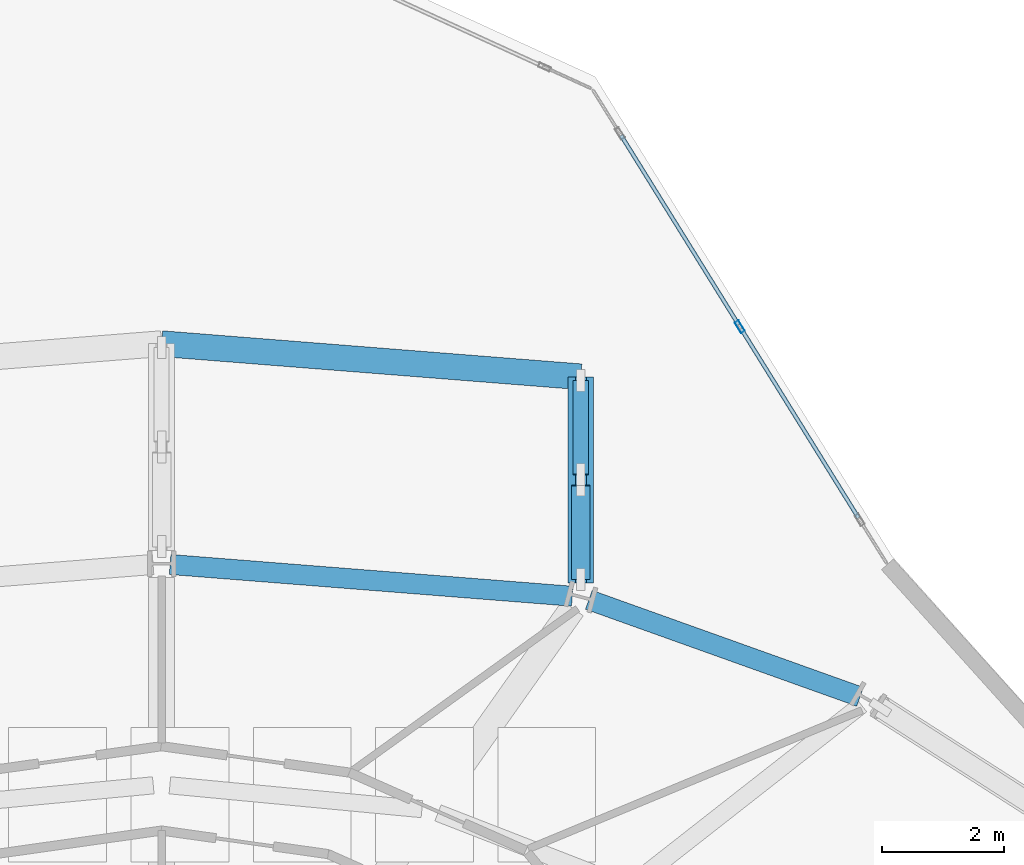
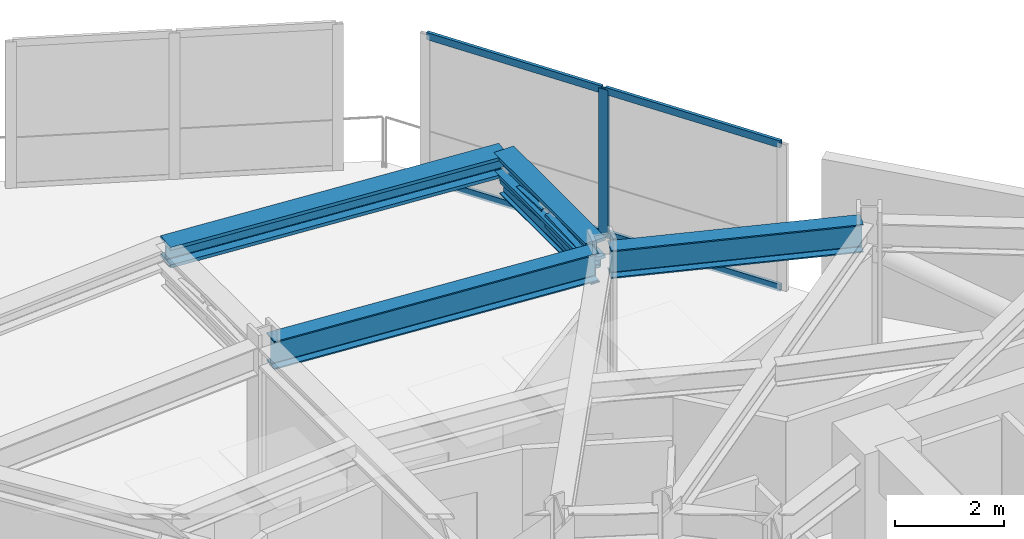
# One storey, part 9 of 19: 7 members, 5 beams, 1 element without a shape of its own.
"""IFC4 building model written with IfcOpenShell, lengths in metres."""

from ifc_helpers import new_model, si_unit, direction, frame, origin, origin_2d, place, context, subcontext, project, spatial, hollow_rectangle, i_section, extrude, material, layer, layer_set, material_profile, profile_set, type_object, element, aggregate, save


model = new_model("IFC4")

# Units and contexts
model_context = context("Model", 3, precision=1e-05, world=origin(), true_north=direction((0.0, 1.0)))
body_context = subcontext(model_context, "Body", "Model", "MODEL_VIEW")
ifc_project = project(units=[si_unit("LENGTHUNIT", "METRE"), si_unit("AREAUNIT", "SQUARE_METRE"), si_unit("VOLUMEUNIT", "CUBIC_METRE"), si_unit("PLANEANGLEUNIT", "RADIAN"), si_unit("MASSUNIT", "GRAM", prefix="KILO")], contexts=[model_context])

# Site, building, storey
site_placement = place(None, origin())
site = spatial("IfcSite", under=ifc_project, at=site_placement, CompositionType="ELEMENT")
building_placement = place(site_placement, origin())
building = spatial("IfcBuilding", under=site, at=building_placement, Name="Solvane Sanctuary Tower", CompositionType="ELEMENT")
storey_placement = place(building_placement, frame((0.0, 0.0, 249.60009765625)))
storey = spatial("IfcBuildingStorey", under=building, at=storey_placement, Name="L76", CompositionType="ELEMENT", Elevation=249.60009765625)

# Beams
ifc_material_1 = material(Name="Steel ASTM A913 Grade 65", Category="steel")
ifc_material_profile_1 = material_profile(ifc_material_1, i_section(OverallWidth=0.422119140625, OverallDepth=0.465087890625, WebThickness=0.044921875, FlangeThickness=0.072509765625, FilletRadius=0.02490234375, at=origin_2d()), Name="W14X398")
ifc_profile_set_1 = profile_set([ifc_material_profile_1], Name="Steel ASTM A913 Grade 65")
beam_type_1 = type_object("IfcBeamType", Name="Beam B-CANT-CH W14X398", PredefinedType="BEAM", material=ifc_profile_set_1)
beam_1_placement = place(storey_placement, frame((38.856201171875, 38.36669921875, 3.08544921875), z_axis=(0.0, 1.0, 0.0), x_axis=(-1.0, 0.0, 0.0)))
element("IfcBeam", 1, at=beam_1_placement, inside=storey, type_object=beam_type_1, Name="L76 Sky-Dining Truss Top Chord C03", PredefinedType="BEAM", context=body_context, shape_type="SweptSolid", body=[
    extrude(i_section(OverallWidth=0.422119140625, OverallDepth=0.465087890625, WebThickness=0.044921875, FlangeThickness=0.072509765625, FilletRadius=0.02490234375, at=origin_2d()), origin(), (0.0, 0.0, 1.0), 3.37158203125),
])
beam_2_placement = place(storey_placement, frame((32.0, 42.280029296875, 3.08544921875), z_axis=(0.996892795984, -0.078770256536, 0.0), x_axis=(0.078770256536, 0.996892795984, 0.0)))
element("IfcBeam", 2, at=beam_2_placement, inside=storey, type_object=beam_type_1, Name="L76 Sky-Dining Transverse Tie Beam 2", PredefinedType="BEAM", context=body_context, shape_type="SweptSolid", body=[
    extrude(i_section(OverallWidth=0.422119140625, OverallDepth=0.465087890625, WebThickness=0.044921875, FlangeThickness=0.072509765625, FilletRadius=0.02490234375, at=origin_2d()), origin(), (0.0, 0.0, 1.0), 6.877685546875),
])
ifc_material_2 = material(Name="Steel ASTM A992 Grade 50", Category="steel")
ifc_material_profile_2 = material_profile(ifc_material_2, i_section(OverallWidth=0.180908203125, OverallDepth=0.4169921875, WebThickness=0.010986328125, FlangeThickness=0.018310546875, FilletRadius=0.012939453125, at=origin_2d()), Name="W16X57")
ifc_profile_set_2 = profile_set([ifc_material_profile_2], Name="Steel ASTM A992 Grade 50")
beam_type_2 = type_object("IfcBeamType", Name="Beam B-ROOF-BM W16X57", PredefinedType="BEAM", material=ifc_profile_set_2)
beam_3_placement = place(storey_placement, frame((38.856201171875, 38.36669921875, 2.559814453125), z_axis=(0.0, 1.0, 0.0), x_axis=(-1.0, 0.0, 0.0)))
element("IfcBeam", 3, at=beam_3_placement, inside=storey, type_object=beam_type_2, Name="L76 Sky-Dining Truss Bottom Chord C03", PredefinedType="BEAM", context=body_context, shape_type="SweptSolid", body=[
    extrude(i_section(OverallWidth=0.180908203125, OverallDepth=0.4169921875, WebThickness=0.010986328125, FlangeThickness=0.018310546875, FilletRadius=0.012939453125, at=origin_2d()), origin(), (0.0, 0.0, 1.0), 3.37158203125),
])
ifc_material_profile_3 = material_profile(ifc_material_2, i_section(OverallWidth=0.327880859375, OverallDepth=0.6279296875, WebThickness=0.0166015625, FlangeThickness=0.027587890625, FilletRadius=0.01611328125, at=origin_2d()), Name="W24X146")
ifc_profile_set_3 = profile_set([ifc_material_profile_3], Name="Steel ASTM A992 Grade 50")
beam_type_3 = type_object("IfcBeamType", Name="Beam B-SPAND-Z3 W24X146", PredefinedType="SPANDREL", material=ifc_profile_set_3)
beam_4_placement = place(storey_placement, frame((32.1396484375, 38.6689453125, 3.00390625), z_axis=(0.996894556567, -0.078747971951, 0.0), x_axis=(0.078747971951, 0.996894556567, 0.0)))
element("IfcBeam", 4, at=beam_4_placement, inside=storey, type_object=beam_type_3, Name="L76 Perimeter Spandrel Beam TC04-TC03", PredefinedType="SPANDREL", context=body_context, shape_type="SweptSolid", body=[
    extrude(i_section(OverallWidth=0.327880859375, OverallDepth=0.6279296875, WebThickness=0.0166015625, FlangeThickness=0.027587890625, FilletRadius=0.01611328125, at=origin_2d()), origin(), (0.0, 0.0, 1.0), 6.597412109375),
])
beam_5_placement = place(storey_placement, frame((38.98779296875, 38.091064453125, 3.00390625), z_axis=(0.941570600413, -0.336815683184, 0.0), x_axis=(0.336815683184, 0.941570600413, 0.0)))
element("IfcBeam", 5, at=beam_5_placement, inside=storey, type_object=beam_type_3, Name="L76 Perimeter Spandrel Beam TC03-TC02", PredefinedType="SPANDREL", context=body_context, shape_type="SweptSolid", body=[
    extrude(i_section(OverallWidth=0.327880859375, OverallDepth=0.6279296875, WebThickness=0.0166015625, FlangeThickness=0.027587890625, FilletRadius=0.01611328125, at=origin_2d()), origin(), (0.0, 0.0, 1.0), 4.710693359375),
])

# Members
ifc_material_profile_4 = material_profile(ifc_material_1, hollow_rectangle(XDim=0.300048828125, YDim=0.300048828125, WallThickness=0.012451171875, at=origin_2d()), Name="HSS300X300X12.5")
ifc_profile_set_4 = profile_set([ifc_material_profile_4], Name="Steel ASTM A913 Grade 65")
member_type_1 = type_object("IfcMemberType", Name="Member M-CANT-DIAG HSS300X300X12.5", PredefinedType="STRUT", material=ifc_profile_set_4)
member_1_placement = place(storey_placement, frame((38.856201171875, 38.431640625, 2.768798828125), z_axis=(0.0, 0.998643226511, 0.05207404482), x_axis=(-1.0, 0.0, 0.0)))
element("IfcMember", 6, at=member_1_placement, inside=storey, type_object=member_type_1, Name="L76 Sky-Dining Truss Diagonal C03-P1", PredefinedType="STRUT", context=body_context, shape_type="SweptSolid", body=[
    extrude(hollow_rectangle(XDim=0.300048828125, YDim=0.300048828125, WallThickness=0.012451171875, at=origin_2d()), origin(), (0.0, 0.0, 1.0), 1.533203125),
])
ifc_material_profile_5 = material_profile(ifc_material_1, hollow_rectangle(XDim=0.25, YDim=0.25, WallThickness=0.012451171875, at=origin_2d()), Name="HSS250X250X12.5")
ifc_profile_set_5 = profile_set([ifc_material_profile_5], Name="Steel ASTM A913 Grade 65")
member_type_2 = type_object("IfcMemberType", Name="Member M-CANT-POST HSS250X250X12.5", PredefinedType="POST", material=ifc_profile_set_5)
member_2_placement = place(storey_placement, frame((38.856201171875, 40.142333984375, 2.8486328125), z_axis=(0.0, 0.998643226511, -0.05207404482), x_axis=(-1.0, 0.0, 0.0)))
element("IfcMember", 7, at=member_2_placement, inside=storey, type_object=member_type_2, Name="L76 Sky-Dining Truss Web Post C03-P1", PredefinedType="POST", context=body_context, shape_type="SweptSolid", body=[
    extrude(hollow_rectangle(XDim=0.25, YDim=0.25, WallThickness=0.012451171875, at=origin_2d()), origin(), (0.0, 0.0, 1.0), 1.533203125),
])

# Curtain wall, members
ifc_material_3 = material(Name="Anodised Aluminium 6063-T6", Category="aluminium")
ifc_layer = layer(ifc_material_3, 0.18994140625, Name="Anodised Aluminium 6063-T6")
ifc_layer_set = layer_set([ifc_layer], Name="Anodised Aluminium 6063-T6")
curtain_wall_type = type_object("IfcCurtainWallType", Name="Curtain Wall CW-OPER", PredefinedType="NOTDEFINED", material=ifc_layer_set)
curtain_wall_placement = place(storey_placement, origin())
curtain_wall = element("IfcCurtainWall", 8, at=curtain_wall_placement, inside=storey, type_object=curtain_wall_type, Name="L76 CW-OPER Facade Run 04", PredefinedType="NOTDEFINED")
ifc_material_profile_6 = material_profile(ifc_material_3, hollow_rectangle(XDim=0.074951171875, YDim=0.199951171875, WallThickness=0.00390625, at=origin_2d()), Name="ALU200X75X4")
ifc_profile_set_6 = profile_set([ifc_material_profile_6], Name="Anodised Aluminium 6063-T6")
member_type_3 = type_object("IfcMemberType", Name="Member M-CW-MUL-1 ALU200X75X4", PredefinedType="MULLION", material=ifc_profile_set_6)
member_3_placement = place(storey_placement, frame((41.45654296875, 42.558349609375, 0.0), z_axis=(0.0, 0.0, 1.0), x_axis=(-0.849622273102, -0.527391688453, 0.0)))
member_3 = element("IfcMember", 9, at=member_3_placement, type_object=member_type_3, Name="CW-OPER mullion 2", PredefinedType="MULLION", context=body_context, shape_type="SweptSolid", body=[
    extrude(hollow_rectangle(XDim=0.074951171875, YDim=0.199951171875, WallThickness=0.00390625, at=origin_2d()), origin(), (0.0, 0.0, 1.0), 3.27978515625),
])
ifc_material_profile_7 = material_profile(ifc_material_3, hollow_rectangle(XDim=0.06494140625, YDim=0.159912109375, WallThickness=0.00341796875, at=origin_2d()), Name="ALU160X65X3.5")
ifc_profile_set_7 = profile_set([ifc_material_profile_7], Name="Anodised Aluminium 6063-T6")
member_type_4 = type_object("IfcMemberType", Name="Member M-CW-TRN-1 ALU160X65X3.5", PredefinedType="USERDEFINED", material=ifc_profile_set_7)
member_4_placement = place(storey_placement, frame((43.39794921875, 39.430419921875, 0.032470703125), z_axis=(-0.527364529612, 0.849639130989, 0.0), x_axis=(-0.849639130989, -0.527364529612, 0.0)))
member_4 = element("IfcMember", 10, at=member_4_placement, type_object=member_type_4, Name="CW-OPER transom 1.1", ObjectType="TRANSOM", PredefinedType="USERDEFINED", context=body_context, shape_type="SweptSolid", body=[
    extrude(hollow_rectangle(XDim=0.06494140625, YDim=0.159912109375, WallThickness=0.00341796875, at=origin_2d()), origin(), (0.0, 0.0, 1.0), 3.643798828125),
])
member_5_placement = place(storey_placement, frame((43.39794921875, 39.430419921875, 3.247314453125), z_axis=(-0.527364529612, 0.849639130989, 0.0), x_axis=(-0.849639130989, -0.527364529612, 0.0)))
member_5 = element("IfcMember", 11, at=member_5_placement, type_object=member_type_4, Name="CW-OPER transom 1.2", ObjectType="TRANSOM", PredefinedType="USERDEFINED", context=body_context, shape_type="SweptSolid", body=[
    extrude(hollow_rectangle(XDim=0.06494140625, YDim=0.159912109375, WallThickness=0.00341796875, at=origin_2d()), origin(), (0.0, 0.0, 1.0), 3.643798828125),
])
member_6_placement = place(storey_placement, frame((41.436767578125, 42.590087890625, 0.032470703125), z_axis=(-0.527364529612, 0.849639130989, 0.0), x_axis=(-0.849639130989, -0.527364529612, 0.0)))
member_6 = element("IfcMember", 12, at=member_6_placement, type_object=member_type_4, Name="CW-OPER transom 2.1", ObjectType="TRANSOM", PredefinedType="USERDEFINED", context=body_context, shape_type="SweptSolid", body=[
    extrude(hollow_rectangle(XDim=0.06494140625, YDim=0.159912109375, WallThickness=0.00341796875, at=origin_2d()), origin(), (0.0, 0.0, 1.0), 3.643798828125),
])
member_7_placement = place(storey_placement, frame((41.436767578125, 42.590087890625, 3.247314453125), z_axis=(-0.527364529612, 0.849639130989, 0.0), x_axis=(-0.849639130989, -0.527364529612, 0.0)))
member_7 = element("IfcMember", 13, at=member_7_placement, type_object=member_type_4, Name="CW-OPER transom 2.2", ObjectType="TRANSOM", PredefinedType="USERDEFINED", context=body_context, shape_type="SweptSolid", body=[
    extrude(hollow_rectangle(XDim=0.06494140625, YDim=0.159912109375, WallThickness=0.00341796875, at=origin_2d()), origin(), (0.0, 0.0, 1.0), 3.643798828125),
])
aggregate(curtain_wall, [member_3, member_4, member_5, member_6, member_7])

save(model, "model.ifc")
